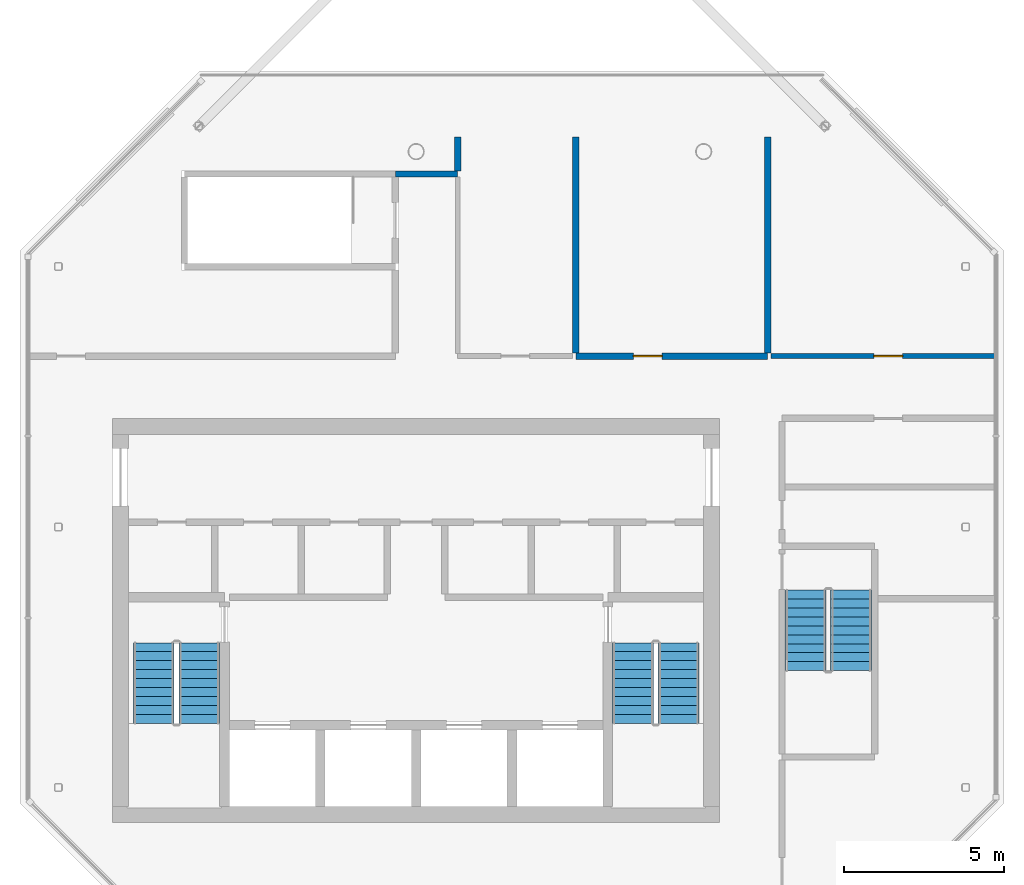
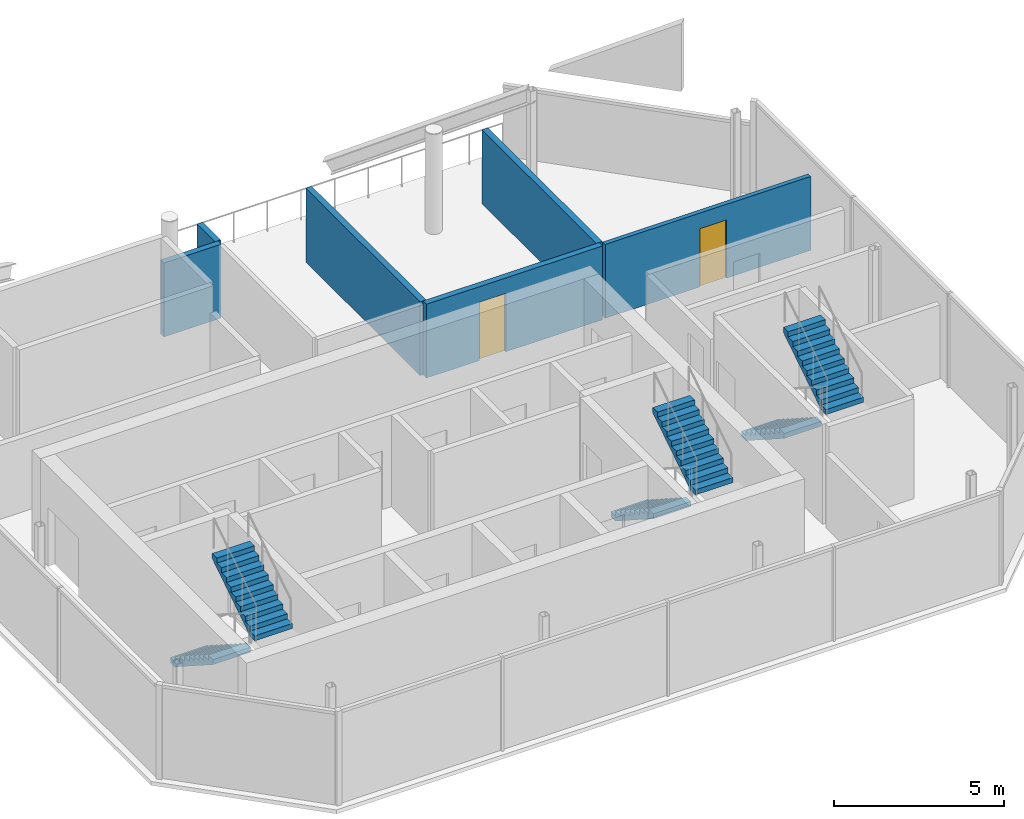
# One storey, part 4 of 5: 6 stair flights, 6 walls, 2 doors, 2 openings, 3 elements without a shape of their own.
"""IFC4 building model written with IfcOpenShell, lengths in metres."""

import ifcopenshell
import ifcopenshell.guid

model = None  # the IFC model being written
_history = None  # IfcOwnerHistory: only IFC2X3 demands one
_inside = {}  # id of a spatial element -> (the spatial element, [elements in it])
_under = {}  # id of a project, library or spatial element -> (it, [spatial elements below it])
_declared = {}  # id of a project -> (the project, [libraries it declares])
_typed = {}  # id of a type object -> (the type object, [elements of that type])
_made_of = {}  # id of a material, layer set ... -> (it, [elements and type objects made of it])


def new_model(schema):
    """Start an empty IFC model of exactly this schema.

    Asked for "IFC4X3", IfcOpenShell would pick the latest addendum, in which some entities
    have other attributes; the version numbers below select the first issue.
    IFC2X3 requires an IfcOwnerHistory on every rooted entity: one is made here for all.
    """
    global model, _history
    if schema == "IFC4X3":
        model = ifcopenshell.file(schema_version=(4, 3, 0, 0))
    else:
        model = ifcopenshell.file(schema=schema)
    _inside.clear()
    _under.clear()
    _declared.clear()
    _typed.clear()
    _made_of.clear()
    _history = None
    if model.schema == "IFC2X3":
        org = make("IfcOrganization", Name="unknown")
        user = make(
            "IfcPersonAndOrganization",
            ThePerson=make("IfcPerson", FamilyName="unknown"),
            TheOrganization=org,
        )
        app = make(
            "IfcApplication",
            ApplicationDeveloper=org,
            Version="unknown",
            ApplicationFullName="unknown",
            ApplicationIdentifier="unknown",
        )
        _history = make(
            "IfcOwnerHistory",
            OwningUser=user,
            OwningApplication=app,
            ChangeAction="ADDED",
            CreationDate=0,
        )
    return model


def make(cls, **values):
    """One entity of the class cls with the attributes given. An attribute that is None is left unset."""
    return model.create_entity(
        cls, **{name: value for name, value in values.items() if value is not None}
    )


def rooted(cls, **values):
    """An entity with a GlobalId (a new one), such as an element, a storey or a relation."""
    return make(cls, GlobalId=ifcopenshell.guid.new(), OwnerHistory=_history, **values)


def si_unit(unit_type, name, prefix=None):
    """IfcSIUnit, for example si_unit("LENGTHUNIT", "METRE", prefix="MILLI")."""
    return make("IfcSIUnit", UnitType=unit_type, Prefix=prefix, Name=name)


def assignment(units):
    """IfcUnitAssignment: the units of a project."""
    return None if units is None else make("IfcUnitAssignment", Units=units)


def point(xyz):
    """IfcCartesianPoint."""
    return None if xyz is None else make("IfcCartesianPoint", Coordinates=xyz)


def direction(xyz):
    """IfcDirection."""
    return None if xyz is None else make("IfcDirection", DirectionRatios=xyz)


def frame(location, z_axis=None, x_axis=None):
    """IfcAxis2Placement3D, a coordinate frame: its origin and axes. An axis left out is left unset."""
    return make(
        "IfcAxis2Placement3D",
        Location=point(location),
        Axis=direction(z_axis),
        RefDirection=direction(x_axis),
    )


def frame_2d(location, x_axis=None):
    """IfcAxis2Placement2D, a coordinate frame in the plane: its origin and x axis."""
    return make(
        "IfcAxis2Placement2D", Location=point(location), RefDirection=direction(x_axis)
    )


def origin():
    """The frame at (0, 0, 0) with its axes left unset."""
    return frame((0.0, 0.0, 0.0))


def place(relative_to, where):
    """IfcLocalPlacement: puts the frame where relative to a parent placement (None: the world)."""
    return make(
        "IfcLocalPlacement", PlacementRelTo=relative_to, RelativePlacement=where
    )


def context(
    kind, dimensions, precision=None, world=None, true_north=None, identifier=None
):
    """IfcGeometricRepresentationContext, for example the 3D "Model" context."""
    return make(
        "IfcGeometricRepresentationContext",
        ContextIdentifier=identifier,
        ContextType=kind,
        CoordinateSpaceDimension=dimensions,
        Precision=precision,
        WorldCoordinateSystem=world,
        TrueNorth=true_north,
    )


def subcontext(parent, identifier, kind, view, scale=None):
    """IfcGeometricRepresentationSubContext, for example "Body" below "Model"."""
    return make(
        "IfcGeometricRepresentationSubContext",
        ContextIdentifier=identifier,
        ContextType=kind,
        ParentContext=parent,
        TargetScale=scale,
        TargetView=view,
    )


def project(units=None, contexts=None):
    """IfcProject with its units and contexts."""
    return rooted(
        "IfcProject",
        Name="project",
        RepresentationContexts=contexts,
        UnitsInContext=assignment(units),
    )


def spatial(cls, under=None, at=None, **own):
    """A site, building, storey or space (cls), placed at a placement, below another one or the project."""
    s = rooted(cls, ObjectPlacement=at, **own)
    if under is not None:
        _under.setdefault(under.id(), (under, []))[1].append(s)
    return s


def polyline(points):
    """IfcPolyline through the points."""
    return make("IfcPolyline", Points=[point(p) for p in points])


def profile(cls, at=None, kind="AREA", **sizes):
    """A parametric profile (cls). Its sizes go by their IFC names, for example OverallWidth=200.0."""
    return make(cls, ProfileType=kind, Position=at, **sizes)


def rectangle(**sizes):
    """IfcRectangleProfileDef."""
    return profile("IfcRectangleProfileDef", **sizes)


def outline(outer, holes=None, kind="AREA"):
    """IfcArbitraryClosedProfileDef: a profile drawn as a closed curve; with holes, ...WithVoids."""
    if holes is None:
        return make("IfcArbitraryClosedProfileDef", ProfileType=kind, OuterCurve=outer)
    return make(
        "IfcArbitraryProfileDefWithVoids",
        ProfileType=kind,
        OuterCurve=outer,
        InnerCurves=holes,
    )


def extrude(swept, where, along, depth):
    """IfcExtrudedAreaSolid: the profile swept, set in the frame where, extruded along a direction by depth."""
    return make(
        "IfcExtrudedAreaSolid",
        SweptArea=swept,
        Position=where,
        ExtrudedDirection=direction(along),
        Depth=depth,
    )


def shape(context_of_items, identifier, shape_type, items):
    """IfcShapeRepresentation: the items that make up one representation, for example the "Body"."""
    return make(
        "IfcShapeRepresentation",
        ContextOfItems=context_of_items,
        RepresentationIdentifier=identifier,
        RepresentationType=shape_type,
        Items=items,
    )


def material(Name=None, Category=None):
    """IfcMaterial."""
    return make("IfcMaterial", Name=Name, Category=Category)


def layer(
    of_material, thickness, ventilated=None, Name=None, Category=None, Priority=None
):
    """IfcMaterialLayer: one layer of a wall or slab, of a material (None: an air gap)."""
    return make(
        "IfcMaterialLayer",
        Material=of_material,
        LayerThickness=thickness,
        IsVentilated=ventilated,
        Name=Name,
        Category=Category,
        Priority=Priority,
    )


def layer_set(layers, Name=None):
    """IfcMaterialLayerSet."""
    return make("IfcMaterialLayerSet", MaterialLayers=layers, LayerSetName=Name)


def made_of(thing, what):
    """Note that an element or type object is made of a material, layer set ...; save() writes the relation."""
    if what is not None:
        _made_of.setdefault(what.id(), (what, []))[1].append(thing)
    return thing


def type_object(cls, material=None, **own):
    """A type object (cls), such as IfcWallType, which elements share."""
    return made_of(rooted(cls, **own), material)


def element(
    cls,
    number,
    at=None,
    inside=None,
    cuts=None,
    type_object=None,
    material=None,
    context=None,
    identifier="Body",
    shape_type=None,
    held_by="IfcProductDefinitionShape",
    body=None,
    shapes=None,
    **own,
):
    """One element of the class cls, such as IfcWall. Its Tag is "e" and its number.

    at: its placement. inside: the storey or other place that contains it. cuts: it is an
    opening in that element (IfcRelVoidsElement). A single representation is given by context,
    identifier, shape_type and body (its items); several are given by shapes. held_by: the class
    of the entity that holds the representations. save() writes the other relations.
    """
    e = rooted(cls, Tag="e%d" % number, ObjectPlacement=at, **own)
    if body is not None:
        shapes = [shape(context, identifier, shape_type, body)]
    if shapes is not None:
        e.Representation = make(held_by, Representations=shapes)
    if inside is not None:
        _inside.setdefault(inside.id(), (inside, []))[1].append(e)
    if cuts is not None:
        rooted(
            "IfcRelVoidsElement", RelatingBuildingElement=cuts, RelatedOpeningElement=e
        )
    if type_object is not None:
        _typed.setdefault(type_object.id(), (type_object, []))[1].append(e)
    return made_of(e, material)


def fill(opening, filler):
    """IfcRelFillsElement: the door or window that sits in an opening."""
    return rooted(
        "IfcRelFillsElement",
        RelatingOpeningElement=opening,
        RelatedBuildingElement=filler,
    )


def aggregate(whole, parts):
    """IfcRelAggregates: a whole, such as a stair, and the parts it consists of."""
    return rooted("IfcRelAggregates", RelatingObject=whole, RelatedObjects=parts)


def save(model, path):
    """Write the relations noted so far, then the file.

    IfcRelAggregates (storeys below a building ...), IfcRelContainedInSpatialStructure (elements
    in a storey), IfcRelDefinesByType, IfcRelAssociatesMaterial and IfcRelDeclares: one each for
    every whole, place, type object, material and project.
    """
    for whole, parts in _under.values():
        aggregate(whole, parts)
    for where, things in _inside.values():
        rooted(
            "IfcRelContainedInSpatialStructure",
            RelatedElements=things,
            RelatingStructure=where,
        )
    for kind, things in _typed.values():
        rooted("IfcRelDefinesByType", RelatedObjects=things, RelatingType=kind)
    for what, things in _made_of.values():
        rooted("IfcRelAssociatesMaterial", RelatedObjects=things, RelatingMaterial=what)
    for by, libraries in _declared.values():
        rooted("IfcRelDeclares", RelatingContext=by, RelatedDefinitions=libraries)
    model.write(path)


model = new_model("IFC4")

# Units and contexts
model_context = context("Model", 3, precision=1e-05, world=origin(), true_north=direction((0.0, 1.0)))
body_context = subcontext(model_context, "Body", "Model", "MODEL_VIEW")
ifc_project = project(units=[si_unit("LENGTHUNIT", "METRE"), si_unit("AREAUNIT", "SQUARE_METRE"), si_unit("VOLUMEUNIT", "CUBIC_METRE"), si_unit("PLANEANGLEUNIT", "RADIAN"), si_unit("MASSUNIT", "GRAM", prefix="KILO")], contexts=[model_context])

# Site, building, storey
site_placement = place(None, origin())
site = spatial("IfcSite", under=ifc_project, at=site_placement, CompositionType="ELEMENT")
building_placement = place(site_placement, origin())
building = spatial("IfcBuilding", under=site, at=building_placement, Name="Tskaro Facet Tower", CompositionType="ELEMENT")
storey_placement = place(building_placement, frame((0.0, 0.0, 300.89990234375)))
storey = spatial("IfcBuildingStorey", under=building, at=storey_placement, Name="L81", CompositionType="ELEMENT", Elevation=300.89990234375)

# Wall, opening, door
ifc_material_1 = material(Name="Gypsum board on steel studs", Category="steel")
ifc_layer_1 = layer(ifc_material_1, 0.14990234375, Name="Gypsum board on steel studs")
ifc_layer_set_1 = layer_set([ifc_layer_1], Name="Gypsum board on steel studs")
wall_type_1 = type_object("IfcWallType", Name="PART-CORR", PredefinedType="PARTITIONING", material=ifc_layer_set_1)
wall_1_placement = place(storey_placement, frame((11.10009765625, 2.60009765625, 0.0), z_axis=(0.0, 0.0, 1.0), x_axis=(1.0, 0.0, 0.0)))
wall_1 = element("IfcWall", 1, at=wall_1_placement, inside=storey, type_object=wall_type_1, Name="Corridor wall W015", PredefinedType="PARTITIONING", context=body_context, shape_type="SweptSolid", body=[
    extrude(rectangle(XDim=7.0, YDim=0.14990234375, at=frame_2d((3.5, 0.0))), origin(), (0.0, 0.0, 1.0), 2.66015625),
])
opening_1_placement = place(wall_1_placement, frame((3.22509765625, 0.0, 0.0)))
opening_1 = element("IfcOpeningElement", 2, at=opening_1_placement, cuts=wall_1, Name="Opening C81-D15", PredefinedType="OPENING", context=body_context, shape_type="SweptSolid", body=[
    extrude(rectangle(XDim=0.89990234375, YDim=2.10009765625, at=frame_2d((0.449951171875, 1.050048828125))), frame((0.0, 0.0849609375, 0.0), z_axis=(0.0, -1.0, 0.0), x_axis=(1.0, 0.0, 0.0)), (0.0, 0.0, 1.0), 0.169921875),
])
ifc_material_2 = material(Name="Steel", Category="steel")
door_type = type_object("IfcDoorType", Name="D-RISER", OperationType="NOTDEFINED", PredefinedType="DOOR", material=ifc_material_2)
door_1_placement = place(opening_1_placement, origin())
door_1 = element("IfcDoor", 3, at=door_1_placement, inside=storey, type_object=door_type, Name="Door C81-D15", OperationType="SINGLE_SWING_LEFT", OverallHeight=2.10009765625, OverallWidth=0.89990234375, PredefinedType="DOOR", context=body_context, shape_type="SweptSolid", body=[
    extrude(rectangle(XDim=0.89990234375, YDim=2.10009765625, at=frame_2d((0.449951171875, 1.050048828125))), frame((0.0, 0.02490234375, 0.0), z_axis=(0.0, -1.0, 0.0), x_axis=(1.0, 0.0, 0.0)), (0.0, 0.0, 1.0), 0.050048828125),
])
fill(opening_1, door_1)

ifc_material_3 = material(Name="Concrete C20/25", Category="concrete")
ifc_layer_2 = layer(ifc_material_3, 0.199951171875, Name="Concrete C20/25")
ifc_layer_set_2 = layer_set([ifc_layer_2], Name="Concrete C20/25")
wall_type_2 = type_object("IfcWallType", Name="WALL-RISER", PredefinedType="SOLIDWALL", material=ifc_layer_set_2)
wall_2_placement = place(storey_placement, frame((5.0, 2.60009765625, 0.0), z_axis=(0.0, 0.0, 1.0), x_axis=(1.0, 0.0, 0.0)))
wall_2 = element("IfcWall", 4, at=wall_2_placement, inside=storey, type_object=wall_type_2, Name="Riser room wall W014", PredefinedType="SOLIDWALL", context=body_context, shape_type="SweptSolid", body=[
    extrude(rectangle(XDim=6.0, YDim=0.199951171875, at=frame_2d((3.0, 0.0))), origin(), (0.0, 0.0, 1.0), 2.66015625),
])
opening_2_placement = place(wall_2_placement, frame((1.800048828125, 0.0, 0.0)))
opening_2 = element("IfcOpeningElement", 5, at=opening_2_placement, cuts=wall_2, Name="Opening C81-D14", PredefinedType="OPENING", context=body_context, shape_type="SweptSolid", body=[
    extrude(rectangle(XDim=0.89990234375, YDim=2.10009765625, at=frame_2d((0.449951171875, 1.050048828125))), frame((0.0, 0.10986328125, 0.0), z_axis=(0.0, -1.0, 0.0), x_axis=(1.0, 0.0, 0.0)), (0.0, 0.0, 1.0), 0.219970703125),
])
door_2_placement = place(opening_2_placement, origin())
door_2 = element("IfcDoor", 6, at=door_2_placement, inside=storey, type_object=door_type, Name="Door C81-D14", OperationType="SINGLE_SWING_LEFT", OverallHeight=2.10009765625, OverallWidth=0.89990234375, PredefinedType="DOOR", context=body_context, shape_type="SweptSolid", body=[
    extrude(rectangle(XDim=0.89990234375, YDim=2.10009765625, at=frame_2d((0.449951171875, 1.050048828125))), frame((0.0, 0.02490234375, 0.0), z_axis=(0.0, -1.0, 0.0), x_axis=(1.0, 0.0, 0.0)), (0.0, 0.0, 1.0), 0.050048828125),
])
fill(opening_2, door_2)

# Walls
wall_3_placement = place(storey_placement, frame((-0.64990234375, 8.300048828125, 0.0), z_axis=(0.0, 0.0, 1.0), x_axis=(1.0, 0.0, 0.0)))
element("IfcWall", 7, at=wall_3_placement, inside=storey, type_object=wall_type_2, Name="Riser room wall W018", PredefinedType="SOLIDWALL", context=body_context, shape_type="SweptSolid", body=[
    extrude(rectangle(XDim=1.949951171875, YDim=0.199951171875, at=frame_2d((0.97509765625, 0.0))), origin(), (0.0, 0.0, 1.0), 2.66015625),
])
wall_4_placement = place(storey_placement, frame((1.300048828125, 8.39990234375, 0.0), z_axis=(0.0, 0.0, 1.0), x_axis=(0.0, 1.0, 0.0)))
element("IfcWall", 8, at=wall_4_placement, inside=storey, type_object=wall_type_2, Name="Riser room wall W030", PredefinedType="SOLIDWALL", context=body_context, shape_type="SweptSolid", body=[
    extrude(rectangle(XDim=1.050048828125, YDim=0.199951171875, at=frame_2d((0.52490234375, 0.0))), origin(), (0.0, 0.0, 1.0), 2.66015625),
])
for number, where, z_axis, x_axis, name in (
    (9, (5.0, 2.699951171875, 0.0), (0.0, 0.0, 1.0), (0.0, 1.0, 0.0), "Riser room wall W033"),
    (10, (11.0, 2.699951171875, 0.0), (0.0, 0.0, 1.0), (0.0, 1.0, 0.0), "Riser room wall W036"),
):
    element("IfcWall", number, at=place(storey_placement, frame(where, z_axis=z_axis, x_axis=x_axis)), inside=storey, type_object=wall_type_2, Name=name, PredefinedType="SOLIDWALL", context=body_context, shape_type="SweptSolid", body=[
        extrude(rectangle(XDim=6.75, YDim=0.199951171875, at=frame_2d((3.375, 0.0))), origin(), (0.0, 0.0, 1.0), 2.66015625),
    ])

# Stair, stair flights
ifc_material_4 = material(Name="Concrete C40/50", Category="concrete")
stair_type = type_object("IfcStairType", Name="ST-TWR", PredefinedType="HALF_TURN_STAIR", material=ifc_material_4)
stair_1_placement = place(storey_placement, origin())
stair_1 = element("IfcStair", 11, at=stair_1_placement, inside=storey, type_object=stair_type, Name="L81 Exit stair 1", PredefinedType="HALF_TURN_STAIR")
stair_flight_type = type_object("IfcStairFlightType", Name="SFL-RC", PredefinedType="STRAIGHT", material=ifc_material_4)
stair_flight_1_placement = place(storey_placement, frame((-8.21240234375, -6.375, 0.0), z_axis=(0.0, 0.0, 1.0), x_axis=(0.0, -1.0, 0.0)))
stair_flight_1 = element("IfcStairFlight", 12, at=stair_flight_1_placement, type_object=stair_flight_type, Name="ST-1 flight 1", NumberOfRisers=10, NumberOfTreads=9, PredefinedType="STRAIGHT", RiserHeight=0.18, TreadLength=0.28, context=body_context, shape_type="SweptSolid", body=[
    extrude(outline(polyline([(0.0, 0.0), (0.0, 0.179931640625), (0.280029296875, 0.179931640625), (0.280029296875, 0.360107421875), (0.56005859375, 0.360107421875), (0.56005859375, 0.5400390625), (0.840087890625, 0.5400390625), (0.840087890625, 0.719970703125), (1.1201171875, 0.719970703125), (1.1201171875, 0.89990234375), (1.39990234375, 0.89990234375), (1.39990234375, 1.080078125), (1.679931640625, 1.080078125), (1.679931640625, 1.260009765625), (1.9599609375, 1.260009765625), (1.9599609375, 1.43994140625), (2.239990234375, 1.43994140625), (2.239990234375, 1.6201171875), (2.52001953125, 1.6201171875), (2.52001953125, 1.800048828125), (2.52001953125, 1.44189453125), (0.277099609375, 0.0), (0.0, 0.0)])), frame((0.0, 0.637451171875, 0.0), z_axis=(0.0, -1.0, 0.0), x_axis=(1.0, 0.0, 0.0)), (0.0, 0.0, 1.0), 1.27490234375),
])
stair_flight_2_placement = place(storey_placement, frame((-6.78759765625, -8.89501953125, 1.800048828125), z_axis=(0.0, 0.0, 1.0), x_axis=(0.0, 1.0, 0.0)))
stair_flight_2 = element("IfcStairFlight", 13, at=stair_flight_2_placement, type_object=stair_flight_type, Name="ST-1 flight 2", NumberOfRisers=10, NumberOfTreads=9, PredefinedType="STRAIGHT", RiserHeight=0.18, TreadLength=0.28, context=body_context, shape_type="SweptSolid", body=[
    extrude(outline(polyline([(0.0, 0.0), (0.0, 0.179931640625), (0.280029296875, 0.179931640625), (0.280029296875, 0.360107421875), (0.56005859375, 0.360107421875), (0.56005859375, 0.5400390625), (0.840087890625, 0.5400390625), (0.840087890625, 0.719970703125), (1.1201171875, 0.719970703125), (1.1201171875, 0.89990234375), (1.39990234375, 0.89990234375), (1.39990234375, 1.080078125), (1.679931640625, 1.080078125), (1.679931640625, 1.260009765625), (1.9599609375, 1.260009765625), (1.9599609375, 1.43994140625), (2.239990234375, 1.43994140625), (2.239990234375, 1.6201171875), (2.52001953125, 1.6201171875), (2.52001953125, 1.800048828125), (2.52001953125, 1.44189453125), (0.277099609375, 0.0), (0.0, 0.0)])), frame((0.0, 0.637451171875, 0.0), z_axis=(0.0, -1.0, 0.0), x_axis=(1.0, 0.0, 0.0)), (0.0, 0.0, 1.0), 1.27490234375),
])
aggregate(stair_1, [stair_flight_1, stair_flight_2])

stair_2_placement = place(storey_placement, origin())
stair_2 = element("IfcStair", 14, at=stair_2_placement, inside=storey, type_object=stair_type, Name="L81 Exit stair 2", PredefinedType="HALF_TURN_STAIR")
stair_flight_3_placement = place(storey_placement, frame((6.78759765625, -6.375, 0.0), z_axis=(0.0, 0.0, 1.0), x_axis=(0.0, -1.0, 0.0)))
stair_flight_3 = element("IfcStairFlight", 15, at=stair_flight_3_placement, type_object=stair_flight_type, Name="ST-2 flight 1", NumberOfRisers=10, NumberOfTreads=9, PredefinedType="STRAIGHT", RiserHeight=0.18, TreadLength=0.28, context=body_context, shape_type="SweptSolid", body=[
    extrude(outline(polyline([(0.0, 0.0), (0.0, 0.179931640625), (0.280029296875, 0.179931640625), (0.280029296875, 0.360107421875), (0.56005859375, 0.360107421875), (0.56005859375, 0.5400390625), (0.840087890625, 0.5400390625), (0.840087890625, 0.719970703125), (1.1201171875, 0.719970703125), (1.1201171875, 0.89990234375), (1.39990234375, 0.89990234375), (1.39990234375, 1.080078125), (1.679931640625, 1.080078125), (1.679931640625, 1.260009765625), (1.9599609375, 1.260009765625), (1.9599609375, 1.43994140625), (2.239990234375, 1.43994140625), (2.239990234375, 1.6201171875), (2.52001953125, 1.6201171875), (2.52001953125, 1.800048828125), (2.52001953125, 1.44189453125), (0.277099609375, 0.0), (0.0, 0.0)])), frame((0.0, 0.637451171875, 0.0), z_axis=(0.0, -1.0, 0.0), x_axis=(1.0, 0.0, 0.0)), (0.0, 0.0, 1.0), 1.27490234375),
])
stair_flight_4_placement = place(storey_placement, frame((8.21240234375, -8.89501953125, 1.800048828125), z_axis=(0.0, 0.0, 1.0), x_axis=(0.0, 1.0, 0.0)))
stair_flight_4 = element("IfcStairFlight", 16, at=stair_flight_4_placement, type_object=stair_flight_type, Name="ST-2 flight 2", NumberOfRisers=10, NumberOfTreads=9, PredefinedType="STRAIGHT", RiserHeight=0.18, TreadLength=0.28, context=body_context, shape_type="SweptSolid", body=[
    extrude(outline(polyline([(0.0, 0.0), (0.0, 0.179931640625), (0.280029296875, 0.179931640625), (0.280029296875, 0.360107421875), (0.56005859375, 0.360107421875), (0.56005859375, 0.5400390625), (0.840087890625, 0.5400390625), (0.840087890625, 0.719970703125), (1.1201171875, 0.719970703125), (1.1201171875, 0.89990234375), (1.39990234375, 0.89990234375), (1.39990234375, 1.080078125), (1.679931640625, 1.080078125), (1.679931640625, 1.260009765625), (1.9599609375, 1.260009765625), (1.9599609375, 1.43994140625), (2.239990234375, 1.43994140625), (2.239990234375, 1.6201171875), (2.52001953125, 1.6201171875), (2.52001953125, 1.800048828125), (2.52001953125, 1.44189453125), (0.277099609375, 0.0), (0.0, 0.0)])), frame((0.0, 0.637451171875, 0.0), z_axis=(0.0, -1.0, 0.0), x_axis=(1.0, 0.0, 0.0)), (0.0, 0.0, 1.0), 1.27490234375),
])
aggregate(stair_2, [stair_flight_3, stair_flight_4])

stair_3_placement = place(storey_placement, origin())
stair_3 = element("IfcStair", 17, at=stair_3_placement, inside=storey, type_object=stair_type, Name="L81 Exit stair 4", PredefinedType="HALF_TURN_STAIR")
stair_flight_5_placement = place(storey_placement, frame((12.1875, -4.72509765625, 0.0), z_axis=(0.0, 0.0, 1.0), x_axis=(0.0, -1.0, 0.0)))
stair_flight_5 = element("IfcStairFlight", 18, at=stair_flight_5_placement, type_object=stair_flight_type, Name="ST-4 flight 1", NumberOfRisers=10, NumberOfTreads=9, PredefinedType="STRAIGHT", RiserHeight=0.18, TreadLength=0.28, context=body_context, shape_type="SweptSolid", body=[
    extrude(outline(polyline([(0.0, 0.0), (0.0, 0.179931640625), (0.280029296875, 0.179931640625), (0.280029296875, 0.360107421875), (0.56005859375, 0.360107421875), (0.56005859375, 0.5400390625), (0.840087890625, 0.5400390625), (0.840087890625, 0.719970703125), (1.1201171875, 0.719970703125), (1.1201171875, 0.89990234375), (1.39990234375, 0.89990234375), (1.39990234375, 1.080078125), (1.679931640625, 1.080078125), (1.679931640625, 1.260009765625), (1.9599609375, 1.260009765625), (1.9599609375, 1.43994140625), (2.239990234375, 1.43994140625), (2.239990234375, 1.6201171875), (2.52001953125, 1.6201171875), (2.52001953125, 1.800048828125), (2.52001953125, 1.44189453125), (0.277099609375, 0.0), (0.0, 0.0)])), frame((0.0, 0.637451171875, 0.0), z_axis=(0.0, -1.0, 0.0), x_axis=(1.0, 0.0, 0.0)), (0.0, 0.0, 1.0), 1.27490234375),
])
stair_flight_6_placement = place(storey_placement, frame((13.612548828125, -7.2451171875, 1.800048828125), z_axis=(0.0, 0.0, 1.0), x_axis=(0.0, 1.0, 0.0)))
stair_flight_6 = element("IfcStairFlight", 19, at=stair_flight_6_placement, type_object=stair_flight_type, Name="ST-4 flight 2", NumberOfRisers=10, NumberOfTreads=9, PredefinedType="STRAIGHT", RiserHeight=0.18, TreadLength=0.28, context=body_context, shape_type="SweptSolid", body=[
    extrude(outline(polyline([(0.0, 0.0), (0.0, 0.179931640625), (0.280029296875, 0.179931640625), (0.280029296875, 0.360107421875), (0.56005859375, 0.360107421875), (0.56005859375, 0.5400390625), (0.840087890625, 0.5400390625), (0.840087890625, 0.719970703125), (1.1201171875, 0.719970703125), (1.1201171875, 0.89990234375), (1.39990234375, 0.89990234375), (1.39990234375, 1.080078125), (1.679931640625, 1.080078125), (1.679931640625, 1.260009765625), (1.9599609375, 1.260009765625), (1.9599609375, 1.43994140625), (2.239990234375, 1.43994140625), (2.239990234375, 1.6201171875), (2.52001953125, 1.6201171875), (2.52001953125, 1.800048828125), (2.52001953125, 1.44189453125), (0.277099609375, 0.0), (0.0, 0.0)])), frame((0.0, 0.637451171875, 0.0), z_axis=(0.0, -1.0, 0.0), x_axis=(1.0, 0.0, 0.0)), (0.0, 0.0, 1.0), 1.27490234375),
])
aggregate(stair_3, [stair_flight_5, stair_flight_6])

save(model, "model.ifc")
